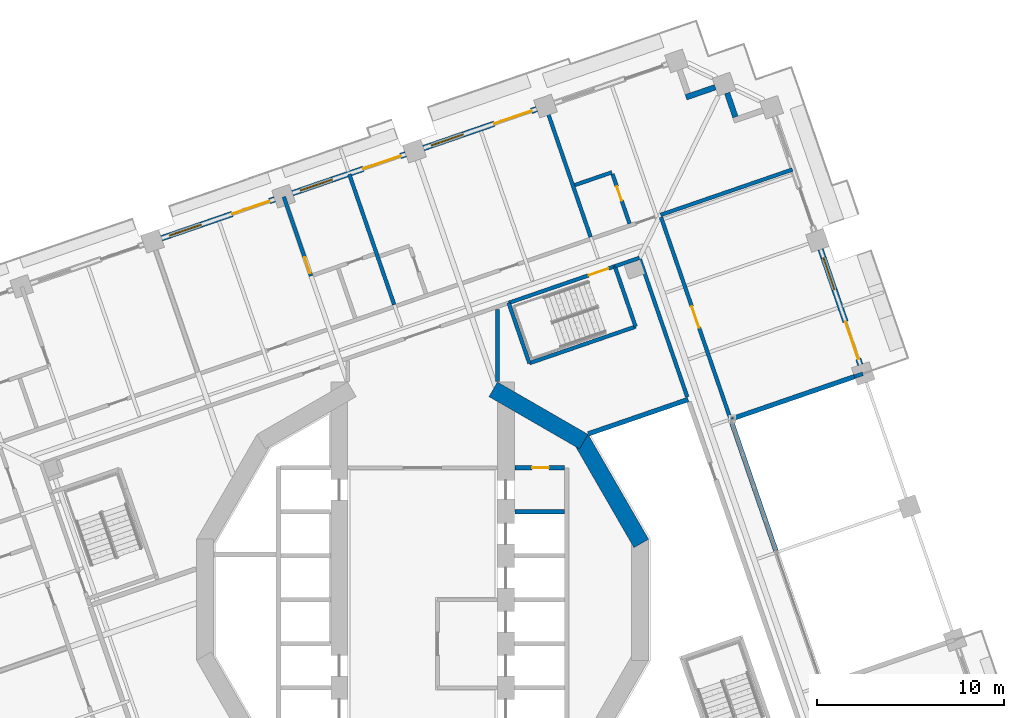
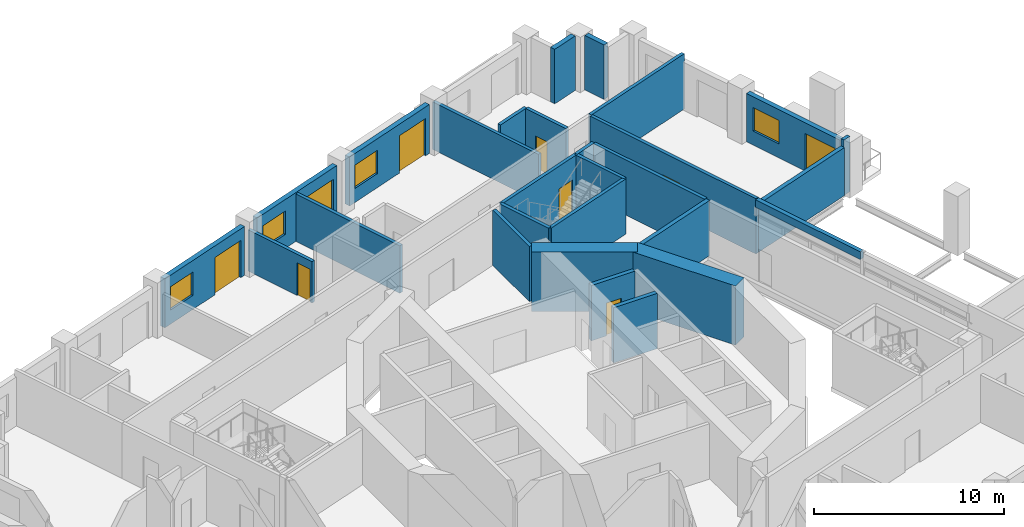
# One storey, part 13 of 22: 28 walls, 9 doors, 4 windows, 13 openings.
"""IFC4 building model written with IfcOpenShell, lengths in metres."""

from ifc_helpers import new_model, si_unit, direction, frame, frame_2d, origin, place, context, subcontext, project, spatial, rectangle, extrude, material, layer, layer_set, type_object, element, fill, save


model = new_model("IFC4")

# Units and contexts
model_context = context("Model", 3, precision=1e-05, world=origin(), true_north=direction((0.0, 1.0)))
body_context = subcontext(model_context, "Body", "Model", "MODEL_VIEW")
ifc_project = project(units=[si_unit("LENGTHUNIT", "METRE"), si_unit("AREAUNIT", "SQUARE_METRE"), si_unit("VOLUMEUNIT", "CUBIC_METRE"), si_unit("PLANEANGLEUNIT", "RADIAN"), si_unit("MASSUNIT", "GRAM", prefix="KILO")], contexts=[model_context])

# Site, building, storey
site_placement = place(None, origin())
site = spatial("IfcSite", under=ifc_project, at=site_placement, CompositionType="ELEMENT")
building_placement = place(site_placement, origin())
building = spatial("IfcBuilding", under=site, at=building_placement, Name="Cantera Rosa Tower", CompositionType="ELEMENT")
storey_placement = place(building_placement, frame((0.0, 0.0, 115.5)))
storey = spatial("IfcBuildingStorey", under=building, at=storey_placement, Name="L23", CompositionType="ELEMENT", Elevation=115.5)

# Walls
ifc_material_1 = material(Name="Gypsum board partition")
ifc_layer_1 = layer(ifc_material_1, 0.199951171875)
ifc_layer_set_1 = layer_set([ifc_layer_1], Name="CORRIDOR WALL 200 H3550")
wall_type_1 = type_object("IfcWallType", Name="CORRIDOR WALL 200 H3550", PredefinedType="PARTITIONING", material=ifc_layer_set_1)
wall_1_placement = place(storey_placement, frame((4.0, 15.51513671875, 0.0), z_axis=(0.0, 0.0, 1.0), x_axis=(0.0, -1.0, 0.0)))
element("IfcWall", 1, at=wall_1_placement, inside=storey, type_object=wall_type_1, Name="CORRIDOR WALL L23-070", PredefinedType="PARTITIONING", context=body_context, shape_type="SweptSolid", body=[
    extrude(rectangle(XDim=3.847900390625, YDim=0.199951171875, at=frame_2d((1.923828125, 0.0))), origin(), (0.0, 0.0, 1.0), 3.550048828125),
])
wall_2_placement = place(storey_placement, frame((11.583984375, 18.2666015625, 0.0), z_axis=(0.0, 0.0, 1.0), x_axis=(-0.945503834334, -0.325610963052, 0.0)))
element("IfcWall", 2, at=wall_2_placement, inside=storey, type_object=wall_type_1, Name="CORRIDOR WALL L23-092", PredefinedType="PARTITIONING", context=body_context, shape_type="SweptSolid", body=[
    extrude(rectangle(XDim=1.38720703125, YDim=0.199951171875, at=frame_2d((0.693603515625, 0.0))), origin(), (0.0, 0.0, 1.0), 3.550048828125),
])
wall_3_placement = place(storey_placement, frame((14.14306640625, 10.834716796875, 0.0), z_axis=(0.0, 0.0, 1.0), x_axis=(-0.325556282684, 0.945522663295, 0.0)))
element("IfcWall", 3, at=wall_3_placement, inside=storey, type_object=wall_type_1, Name="CORRIDOR WALL L23-096", PredefinedType="PARTITIONING", context=body_context, shape_type="SweptSolid", body=[
    extrude(rectangle(XDim=7.76025390625, YDim=0.199951171875, at=frame_2d((3.880126953125, 0.0))), origin(), (0.0, 0.0, 1.0), 3.550048828125),
])

# Wall, opening, door
wall_4_placement = place(storey_placement, frame((16.497802734375, 9.525146484375, 0.0), z_axis=(0.0, 0.0, 1.0), x_axis=(-0.325576165676, 0.945515817077, 0.0)))
wall_4 = element("IfcWall", 4, at=wall_4_placement, inside=storey, type_object=wall_type_1, Name="CORRIDOR WALL L23-109", PredefinedType="PARTITIONING", context=body_context, shape_type="SweptSolid", body=[
    extrude(rectangle(XDim=11.544921875, YDim=0.199951171875, at=frame_2d((5.7724609375, 0.0))), origin(), (0.0, 0.0, 1.0), 3.550048828125),
])
opening_1_placement = place(wall_4_placement, frame((5.294921875, 0.0, 0.0)))
opening_1 = element("IfcOpeningElement", 5, at=opening_1_placement, cuts=wall_4, Name="Opening L23-014", PredefinedType="OPENING", context=body_context, shape_type="SweptSolid", body=[
    extrude(rectangle(XDim=1.199951171875, YDim=2.10009765625, at=frame_2d((0.60009765625, 1.050048828125))), frame((0.0, 0.10986328125, 0.0), z_axis=(0.0, -1.0, 0.0), x_axis=(1.0, 0.0, 0.0)), (0.0, 0.0, 1.0), 0.219970703125),
])
ifc_material_2 = material(Name="Timber door leaf", Category="wood")
door_type_1 = type_object("IfcDoorType", Name="ROOM DOOR 1200x2100", OperationType="NOTDEFINED", PredefinedType="DOOR", material=ifc_material_2)
door_1_placement = place(opening_1_placement, origin())
door_1 = element("IfcDoor", 6, at=door_1_placement, inside=storey, type_object=door_type_1, Name="DOOR L23-014", OperationType="NOTDEFINED", OverallHeight=2.10009765625, OverallWidth=1.199951171875, PredefinedType="DOOR", context=body_context, shape_type="SweptSolid", body=[
    extrude(rectangle(XDim=1.199951171875, YDim=2.10009765625, at=frame_2d((0.60009765625, 1.050048828125))), frame((0.0, 0.02490234375, 0.0), z_axis=(0.0, -1.0, 0.0), x_axis=(1.0, 0.0, 0.0)), (0.0, 0.0, 1.0), 0.050048828125),
])
fill(opening_1, door_1)

# Walls
ifc_material_3 = material(Name="Hollow clay masonry with cantera stone cladding", Category="masonry")
ifc_layer_2 = layer(ifc_material_3, 0.300048828125)
ifc_layer_set_2 = layer_set([ifc_layer_2], Name="EW-LOGGIA 300")
wall_type_2 = type_object("IfcWallType", Name="EW-LOGGIA 300", PredefinedType="SOLIDWALL", material=ifc_layer_set_2)
wall_5_placement = place(storey_placement, frame((16.7119140625, 25.79638671875, 0.0), z_axis=(0.0, 0.0, 1.0), x_axis=(-0.325544748006, 0.945526634763, 0.0)))
element("IfcWall", 7, at=wall_5_placement, inside=storey, type_object=wall_type_2, Name="EN-L23-W06b", PredefinedType="SOLIDWALL", context=body_context, shape_type="SweptSolid", body=[
    extrude(rectangle(XDim=1.349853515625, YDim=0.300048828125, at=frame_2d((0.6748046875, 0.0))), origin(), (0.0, 0.0, 1.0), 3.5),
])
wall_6_placement = place(storey_placement, frame((15.636962890625, 27.3828125, 0.0), z_axis=(0.0, 0.0, 1.0), x_axis=(-0.945484566827, -0.325666906351, 0.0)))
element("IfcWall", 8, at=wall_6_placement, inside=storey, type_object=wall_type_2, Name="EN-L23-W07a", PredefinedType="SOLIDWALL", context=body_context, shape_type="SweptSolid", body=[
    extrude(rectangle(XDim=1.64990234375, YDim=0.300048828125, at=frame_2d((0.824951171875, 0.0))), origin(), (0.0, 0.0, 1.0), 3.5),
])

# Wall, openings, window, door
ifc_material_4 = material(Name="Hollow clay masonry with cantera stone cladding", Category="masonry")
ifc_layer_3 = layer(ifc_material_4, 0.300048828125)
ifc_layer_set_3 = layer_set([ifc_layer_3], Name="EW-LOGGIA 300 H3090")
wall_type_3 = type_object("IfcWallType", Name="EW-LOGGIA 300 H3090", PredefinedType="SOLIDWALL", material=ifc_layer_set_3)
wall_7_placement = place(storey_placement, frame((23.3857421875, 12.557861328125, 0.0), z_axis=(0.0, 0.0, 1.0), x_axis=(-0.325580990241, 0.945514155787, 0.0)))
wall_7 = element("IfcWall", 9, at=wall_7_placement, inside=storey, type_object=wall_type_3, Name="EN-L23-W04", PredefinedType="SOLIDWALL", context=body_context, shape_type="SweptSolid", body=[
    extrude(rectangle(XDim=6.52001953125, YDim=0.300048828125, at=frame_2d((3.260009765625, 0.0))), origin(), (0.0, 0.0, 1.0), 3.090087890625),
])
opening_2_placement = place(wall_7_placement, frame((0.330078125, 0.0, 0.0)))
opening_2 = element("IfcOpeningElement", 10, at=opening_2_placement, cuts=wall_7, Name="Opening L23-TD03", PredefinedType="OPENING", context=body_context, shape_type="SweptSolid", body=[
    extrude(rectangle(XDim=2.10009765625, YDim=2.39990234375, at=frame_2d((1.050048828125, 1.199951171875))), frame((0.0, 0.159912109375, 0.0), z_axis=(0.0, -1.0, 0.0), x_axis=(1.0, 0.0, 0.0)), (0.0, 0.0, 1.0), 0.320068359375),
])
opening_3_placement = place(wall_7_placement, frame((4.239990234375, 0.0, 0.89990234375)))
opening_3 = element("IfcOpeningElement", 11, at=opening_3_placement, cuts=wall_7, Name="Opening L23-W04", PredefinedType="OPENING", context=body_context, shape_type="SweptSolid", body=[
    extrude(rectangle(XDim=1.800048828125, YDim=1.5, at=frame_2d((0.89990234375, 0.75))), frame((0.0, 0.159912109375, 0.0), z_axis=(0.0, -1.0, 0.0), x_axis=(1.0, 0.0, 0.0)), (0.0, 0.0, 1.0), 0.320068359375),
])
ifc_material_5 = material(Name="Aluminium frame with clear glass", Category="aluminium")
window_type = type_object("IfcWindowType", Name="Hotel room window 1800x1500", PartitioningType="DOUBLE_PANEL_VERTICAL", PredefinedType="WINDOW", material=ifc_material_5)
window_1_placement = place(opening_3_placement, origin())
window_1 = element("IfcWindow", 12, at=window_1_placement, inside=storey, type_object=window_type, Name="WINDOW L23-W04", OverallHeight=1.5, OverallWidth=1.800048828125, PartitioningType="SINGLE_PANEL", PredefinedType="WINDOW", context=body_context, shape_type="SweptSolid", body=[
    extrude(rectangle(XDim=1.800048828125, YDim=1.5, at=frame_2d((0.89990234375, 0.75))), frame((0.0, 0.030029296875, 0.0), z_axis=(0.0, -1.0, 0.0), x_axis=(1.0, 0.0, 0.0)), (0.0, 0.0, 1.0), 0.06005859375),
])
fill(opening_3, window_1)
ifc_material_6 = material(Name="Aluminium frame with clear glass", Category="aluminium")
door_type_2 = type_object("IfcDoorType", Name="TD-H 2100x2400", OperationType="NOTDEFINED", PredefinedType="DOOR", material=ifc_material_6)
door_2_placement = place(opening_2_placement, origin())
door_2 = element("IfcDoor", 13, at=door_2_placement, inside=storey, type_object=door_type_2, Name="LOGGIA DOOR L23-TD03", OperationType="SLIDING_TO_LEFT", OverallHeight=2.39990234375, OverallWidth=2.10009765625, PredefinedType="DOOR", context=body_context, shape_type="SweptSolid", body=[
    extrude(rectangle(XDim=2.10009765625, YDim=2.39990234375, at=frame_2d((1.050048828125, 1.199951171875))), frame((0.0, 0.02490234375, 0.0), z_axis=(0.0, -1.0, 0.0), x_axis=(1.0, 0.0, 0.0)), (0.0, 0.0, 1.0), 0.050048828125),
])
fill(opening_2, door_2)

ifc_material_7 = material(Name="Hollow clay masonry with cantera stone cladding", Category="masonry")
ifc_layer_4 = layer(ifc_material_7, 0.300048828125)
ifc_layer_set_4 = layer_set([ifc_layer_4], Name="EW-LOGGIA 300 H3140")
wall_type_4 = type_object("IfcWallType", Name="EW-LOGGIA 300 H3140", PredefinedType="SOLIDWALL", material=ifc_layer_set_4)
wall_8_placement = place(storey_placement, frame((6.097900390625, 26.21337890625, 0.0), z_axis=(0.0, 0.0, 1.0), x_axis=(-0.945524496524, -0.325550958337, 0.0)))
wall_8 = element("IfcWall", 14, at=wall_8_placement, inside=storey, type_object=wall_type_4, Name="EN-L23-W09", PredefinedType="SOLIDWALL", context=body_context, shape_type="SweptSolid", body=[
    extrude(rectangle(XDim=6.39990234375, YDim=0.300048828125, at=frame_2d((3.199951171875, 0.0))), origin(), (0.0, 0.0, 1.0), 3.139892578125),
])
opening_4_placement = place(wall_8_placement, frame((0.300048828125, 0.0, 0.0)))
opening_4 = element("IfcOpeningElement", 15, at=opening_4_placement, cuts=wall_8, Name="Opening L23-TD09", PredefinedType="OPENING", context=body_context, shape_type="SweptSolid", body=[
    extrude(rectangle(XDim=2.10009765625, YDim=2.39990234375, at=frame_2d((1.050048828125, 1.199951171875))), frame((0.0, 0.159912109375, 0.0), z_axis=(0.0, -1.0, 0.0), x_axis=(1.0, 0.0, 0.0)), (0.0, 0.0, 1.0), 0.320068359375),
])
opening_5_placement = place(wall_8_placement, frame((4.14990234375, 0.0, 0.89990234375)))
opening_5 = element("IfcOpeningElement", 16, at=opening_5_placement, cuts=wall_8, Name="Opening L23-W10", PredefinedType="OPENING", context=body_context, shape_type="SweptSolid", body=[
    extrude(rectangle(XDim=1.800048828125, YDim=1.5, at=frame_2d((0.89990234375, 0.75))), frame((0.0, 0.159912109375, 0.0), z_axis=(0.0, -1.0, 0.0), x_axis=(1.0, 0.0, 0.0)), (0.0, 0.0, 1.0), 0.320068359375),
])
window_2_placement = place(opening_5_placement, origin())
window_2 = element("IfcWindow", 17, at=window_2_placement, inside=storey, type_object=window_type, Name="WINDOW L23-W10", OverallHeight=1.5, OverallWidth=1.800048828125, PartitioningType="SINGLE_PANEL", PredefinedType="WINDOW", context=body_context, shape_type="SweptSolid", body=[
    extrude(rectangle(XDim=1.800048828125, YDim=1.5, at=frame_2d((0.89990234375, 0.75))), frame((0.0, 0.030029296875, 0.0), z_axis=(0.0, -1.0, 0.0), x_axis=(1.0, 0.0, 0.0)), (0.0, 0.0, 1.0), 0.06005859375),
])
fill(opening_5, window_2)
door_3_placement = place(opening_4_placement, origin())
door_3 = element("IfcDoor", 18, at=door_3_placement, inside=storey, type_object=door_type_2, Name="LOGGIA DOOR L23-TD09", OperationType="SLIDING_TO_LEFT", OverallHeight=2.39990234375, OverallWidth=2.10009765625, PredefinedType="DOOR", context=body_context, shape_type="SweptSolid", body=[
    extrude(rectangle(XDim=2.10009765625, YDim=2.39990234375, at=frame_2d((1.050048828125, 1.199951171875))), frame((0.0, 0.02490234375, 0.0), z_axis=(0.0, -1.0, 0.0), x_axis=(1.0, 0.0, 0.0)), (0.0, 0.0, 1.0), 0.050048828125),
])
fill(opening_4, door_3)

wall_9_placement = place(storey_placement, frame((-0.89892578125, 23.80419921875, 0.0), z_axis=(0.0, 0.0, 1.0), x_axis=(-0.945524496524, -0.325550958337, 0.0)))
wall_9 = element("IfcWall", 19, at=wall_9_placement, inside=storey, type_object=wall_type_4, Name="EN-L23-W10", PredefinedType="SOLIDWALL", context=body_context, shape_type="SweptSolid", body=[
    extrude(rectangle(XDim=6.39990234375, YDim=0.300048828125, at=frame_2d((3.199951171875, 0.0))), origin(), (0.0, 0.0, 1.0), 3.139892578125),
])
opening_6_placement = place(wall_9_placement, frame((0.300048828125, 0.0, 0.0)))
opening_6 = element("IfcOpeningElement", 20, at=opening_6_placement, cuts=wall_9, Name="Opening L23-TD11", PredefinedType="OPENING", context=body_context, shape_type="SweptSolid", body=[
    extrude(rectangle(XDim=2.10009765625, YDim=2.39990234375, at=frame_2d((1.050048828125, 1.199951171875))), frame((0.0, 0.159912109375, 0.0), z_axis=(0.0, -1.0, 0.0), x_axis=(1.0, 0.0, 0.0)), (0.0, 0.0, 1.0), 0.320068359375),
])
opening_7_placement = place(wall_9_placement, frame((4.14990234375, 0.0, 0.89990234375)))
opening_7 = element("IfcOpeningElement", 21, at=opening_7_placement, cuts=wall_9, Name="Opening L23-W12", PredefinedType="OPENING", context=body_context, shape_type="SweptSolid", body=[
    extrude(rectangle(XDim=1.800048828125, YDim=1.5, at=frame_2d((0.89990234375, 0.75))), frame((0.0, 0.159912109375, 0.0), z_axis=(0.0, -1.0, 0.0), x_axis=(1.0, 0.0, 0.0)), (0.0, 0.0, 1.0), 0.320068359375),
])
window_3_placement = place(opening_7_placement, origin())
window_3 = element("IfcWindow", 22, at=window_3_placement, inside=storey, type_object=window_type, Name="WINDOW L23-W12", OverallHeight=1.5, OverallWidth=1.800048828125, PartitioningType="SINGLE_PANEL", PredefinedType="WINDOW", context=body_context, shape_type="SweptSolid", body=[
    extrude(rectangle(XDim=1.800048828125, YDim=1.5, at=frame_2d((0.89990234375, 0.75))), frame((0.0, 0.030029296875, 0.0), z_axis=(0.0, -1.0, 0.0), x_axis=(1.0, 0.0, 0.0)), (0.0, 0.0, 1.0), 0.06005859375),
])
fill(opening_7, window_3)
door_4_placement = place(opening_6_placement, origin())
door_4 = element("IfcDoor", 23, at=door_4_placement, inside=storey, type_object=door_type_2, Name="LOGGIA DOOR L23-TD11", OperationType="SLIDING_TO_LEFT", OverallHeight=2.39990234375, OverallWidth=2.10009765625, PredefinedType="DOOR", context=body_context, shape_type="SweptSolid", body=[
    extrude(rectangle(XDim=2.10009765625, YDim=2.39990234375, at=frame_2d((1.050048828125, 1.199951171875))), frame((0.0, 0.02490234375, 0.0), z_axis=(0.0, -1.0, 0.0), x_axis=(1.0, 0.0, 0.0)), (0.0, 0.0, 1.0), 0.050048828125),
])
fill(opening_6, door_4)

wall_10_placement = place(storey_placement, frame((-7.895751953125, 21.39501953125, 0.0), z_axis=(0.0, 0.0, 1.0), x_axis=(-0.945524496524, -0.325550958337, 0.0)))
wall_10 = element("IfcWall", 24, at=wall_10_placement, inside=storey, type_object=wall_type_4, Name="EN-L23-W11", PredefinedType="SOLIDWALL", context=body_context, shape_type="SweptSolid", body=[
    extrude(rectangle(XDim=6.39990234375, YDim=0.300048828125, at=frame_2d((3.199951171875, 0.0))), origin(), (0.0, 0.0, 1.0), 3.139892578125),
])
opening_8_placement = place(wall_10_placement, frame((0.300048828125, 0.0, 0.0)))
opening_8 = element("IfcOpeningElement", 25, at=opening_8_placement, cuts=wall_10, Name="Opening L23-TD13", PredefinedType="OPENING", context=body_context, shape_type="SweptSolid", body=[
    extrude(rectangle(XDim=2.10009765625, YDim=2.39990234375, at=frame_2d((1.050048828125, 1.199951171875))), frame((0.0, 0.159912109375, 0.0), z_axis=(0.0, -1.0, 0.0), x_axis=(1.0, 0.0, 0.0)), (0.0, 0.0, 1.0), 0.320068359375),
])
opening_9_placement = place(wall_10_placement, frame((4.14990234375, 0.0, 0.89990234375)))
opening_9 = element("IfcOpeningElement", 26, at=opening_9_placement, cuts=wall_10, Name="Opening L23-W14", PredefinedType="OPENING", context=body_context, shape_type="SweptSolid", body=[
    extrude(rectangle(XDim=1.800048828125, YDim=1.5, at=frame_2d((0.89990234375, 0.75))), frame((0.0, 0.159912109375, 0.0), z_axis=(0.0, -1.0, 0.0), x_axis=(1.0, 0.0, 0.0)), (0.0, 0.0, 1.0), 0.320068359375),
])
window_4_placement = place(opening_9_placement, origin())
window_4 = element("IfcWindow", 27, at=window_4_placement, inside=storey, type_object=window_type, Name="WINDOW L23-W14", OverallHeight=1.5, OverallWidth=1.800048828125, PartitioningType="SINGLE_PANEL", PredefinedType="WINDOW", context=body_context, shape_type="SweptSolid", body=[
    extrude(rectangle(XDim=1.800048828125, YDim=1.5, at=frame_2d((0.89990234375, 0.75))), frame((0.0, 0.030029296875, 0.0), z_axis=(0.0, -1.0, 0.0), x_axis=(1.0, 0.0, 0.0)), (0.0, 0.0, 1.0), 0.06005859375),
])
fill(opening_9, window_4)
door_5_placement = place(opening_8_placement, origin())
door_5 = element("IfcDoor", 28, at=door_5_placement, inside=storey, type_object=door_type_2, Name="LOGGIA DOOR L23-TD13", OperationType="SLIDING_TO_LEFT", OverallHeight=2.39990234375, OverallWidth=2.10009765625, PredefinedType="DOOR", context=body_context, shape_type="SweptSolid", body=[
    extrude(rectangle(XDim=2.10009765625, YDim=2.39990234375, at=frame_2d((1.050048828125, 1.199951171875))), frame((0.0, 0.02490234375, 0.0), z_axis=(0.0, -1.0, 0.0), x_axis=(1.0, 0.0, 0.0)), (0.0, 0.0, 1.0), 0.050048828125),
])
fill(opening_8, door_5)

# Walls
ifc_material_8 = material(Name="Concrete C40/50", Category="concrete")
ifc_layer_5 = layer(ifc_material_8, 0.25)
ifc_layer_set_5 = layer_set([ifc_layer_5], Name="EW-POCKET CHEEK 250 H3090")
wall_type_5 = type_object("IfcWallType", Name="EW-POCKET CHEEK 250 H3090", PredefinedType="SOLIDWALL", material=ifc_layer_set_5)
wall_11_placement = place(storey_placement, frame((23.07568359375, 11.92236328125, 0.0), z_axis=(0.0, 0.0, 1.0), x_axis=(-0.945512768123, -0.325585020105, 0.0)))
element("IfcWall", 29, at=wall_11_placement, inside=storey, type_object=wall_type_5, Name="POCKET CHEEK B L23", PredefinedType="SOLIDWALL", context=body_context, shape_type="SweptSolid", body=[
    extrude(rectangle(XDim=6.900146484375, YDim=0.25, at=frame_2d((3.4501953125, 0.0))), origin(), (0.0, 0.0, 1.0), 3.090087890625),
])
ifc_material_9 = material(Name="Hollow clay masonry with cantera stone cladding", Category="masonry")
ifc_layer_6 = layer(ifc_material_9, 0.25)
ifc_layer_set_6 = layer_set([ifc_layer_6], Name="EW-POCKET REAR 250")
wall_type_6 = type_object("IfcWallType", Name="EW-POCKET REAR 250", PredefinedType="SOLIDWALL", material=ifc_layer_set_6)
wall_12_placement = place(storey_placement, frame((18.873779296875, 2.624755859375, 3.010009765625), z_axis=(0.0, 0.0, 1.0), x_axis=(-0.325565891611, 0.945519354757, 0.0)))
element("IfcWall", 30, at=wall_12_placement, inside=storey, type_object=wall_type_6, Name="POCKET SPANDREL L23-2", PredefinedType="SOLIDWALL", context=body_context, shape_type="SweptSolid", body=[
    extrude(rectangle(XDim=7.298095703125, YDim=0.25, at=frame_2d((3.64892578125, 0.0))), origin(), (0.0, 0.0, 1.0), 0.489990234375),
])

# Wall, opening, door
ifc_material_10 = material(Name="Gypsum board partition")
ifc_layer_7 = layer(ifc_material_10, 0.199951171875)
ifc_layer_set_7 = layer_set([ifc_layer_7], Name="PARTITION 200 H2650")
wall_type_7 = type_object("IfcWallType", Name="PARTITION 200 H2650", PredefinedType="PARTITIONING", material=ifc_layer_set_7)
wall_13_placement = place(storey_placement, frame((-5.9580078125, 17.302978515625, 0.0), z_axis=(0.0, 0.0, 1.0), x_axis=(-0.325519343344, 0.945535381204, 0.0)))
wall_13 = element("IfcWall", 31, at=wall_13_placement, inside=storey, type_object=wall_type_7, Name="PARTITION L23-046", PredefinedType="PARTITIONING", context=body_context, shape_type="SweptSolid", body=[
    extrude(rectangle(XDim=4.469970703125, YDim=0.199951171875, at=frame_2d((2.23486328125, 0.0))), origin(), (0.0, 0.0, 1.0), 2.64990234375),
])
opening_10_placement = place(wall_13_placement, frame((0.14990234375, 0.0, 0.0)))
opening_10 = element("IfcOpeningElement", 32, at=opening_10_placement, cuts=wall_13, Name="Opening L23-020", PredefinedType="OPENING", context=body_context, shape_type="SweptSolid", body=[
    extrude(rectangle(XDim=0.89990234375, YDim=2.10009765625, at=frame_2d((0.449951171875, 1.050048828125))), frame((0.0, 0.10986328125, 0.0), z_axis=(0.0, -1.0, 0.0), x_axis=(1.0, 0.0, 0.0)), (0.0, 0.0, 1.0), 0.219970703125),
])
ifc_material_11 = material(Name="Timber door leaf", Category="wood")
door_type_3 = type_object("IfcDoorType", Name="ROOM DOOR 900x2100", OperationType="NOTDEFINED", PredefinedType="DOOR", material=ifc_material_11)
door_6_placement = place(opening_10_placement, origin())
door_6 = element("IfcDoor", 33, at=door_6_placement, inside=storey, type_object=door_type_3, Name="DOOR L23-020", OperationType="NOTDEFINED", OverallHeight=2.10009765625, OverallWidth=0.89990234375, PredefinedType="DOOR", context=body_context, shape_type="SweptSolid", body=[
    extrude(rectangle(XDim=0.89990234375, YDim=2.10009765625, at=frame_2d((0.449951171875, 1.050048828125))), frame((0.0, 0.02490234375, 0.0), z_axis=(0.0, -1.0, 0.0), x_axis=(1.0, 0.0, 0.0)), (0.0, 0.0, 1.0), 0.050048828125),
])
fill(opening_10, door_6)

# Wall
ifc_material_12 = material(Name="Gypsum board partition")
ifc_layer_8 = layer(ifc_material_12, 0.199951171875)
ifc_layer_set_8 = layer_set([ifc_layer_8], Name="PARTITION 200 H3550")
wall_type_8 = type_object("IfcWallType", Name="PARTITION 200 H3550", PredefinedType="PARTITIONING", material=ifc_layer_set_8)
wall_14_placement = place(storey_placement, frame((8.13037109375, 22.154052734375, 0.0), z_axis=(0.0, 0.0, 1.0), x_axis=(0.945533479579, 0.32552486694, 0.0)))
element("IfcWall", 34, at=wall_14_placement, inside=storey, type_object=wall_type_8, Name="PARTITION L23-085", PredefinedType="PARTITIONING", context=body_context, shape_type="SweptSolid", body=[
    extrude(rectangle(XDim=2.099853515625, YDim=0.199951171875, at=frame_2d((1.0498046875, 0.0))), origin(), (0.0, 0.0, 1.0), 3.550048828125),
])

# Wall, opening, door
wall_15_placement = place(storey_placement, frame((10.1484375, 22.7431640625, 0.0), z_axis=(0.0, 0.0, 1.0), x_axis=(0.325576835135, -0.945515586558, 0.0)))
wall_15 = element("IfcWall", 35, at=wall_15_placement, inside=storey, type_object=wall_type_8, Name="PARTITION L23-088", PredefinedType="PARTITIONING", context=body_context, shape_type="SweptSolid", body=[
    extrude(rectangle(XDim=2.800048828125, YDim=0.199951171875, at=frame_2d((1.39990234375, 0.0))), origin(), (0.0, 0.0, 1.0), 3.550048828125),
])
opening_11_placement = place(wall_15_placement, frame((0.699951171875, 0.0, 0.0)))
opening_11 = element("IfcOpeningElement", 36, at=opening_11_placement, cuts=wall_15, Name="Opening L23-026", PredefinedType="OPENING", context=body_context, shape_type="SweptSolid", body=[
    extrude(rectangle(XDim=0.800048828125, YDim=2.10009765625, at=frame_2d((0.39990234375, 1.050048828125))), frame((0.0, 0.10986328125, 0.0), z_axis=(0.0, -1.0, 0.0), x_axis=(1.0, 0.0, 0.0)), (0.0, 0.0, 1.0), 0.219970703125),
])
ifc_material_13 = material(Name="Timber door leaf", Category="wood")
door_type_4 = type_object("IfcDoorType", Name="BATHROOM DOOR 800x2100", OperationType="NOTDEFINED", PredefinedType="DOOR", material=ifc_material_13)
door_7_placement = place(opening_11_placement, origin())
door_7 = element("IfcDoor", 37, at=door_7_placement, inside=storey, type_object=door_type_4, Name="DOOR L23-026", OperationType="NOTDEFINED", OverallHeight=2.10009765625, OverallWidth=0.800048828125, PredefinedType="DOOR", context=body_context, shape_type="SweptSolid", body=[
    extrude(rectangle(XDim=0.800048828125, YDim=2.10009765625, at=frame_2d((0.39990234375, 1.050048828125))), frame((0.0, 0.02490234375, 0.0), z_axis=(0.0, -1.0, 0.0), x_axis=(1.0, 0.0, 0.0)), (0.0, 0.0, 1.0), 0.050048828125),
])
fill(opening_11, door_7)

# Walls
wall_16_placement = place(storey_placement, frame((23.52001953125, 12.0751953125, 0.0), z_axis=(0.0, 0.0, 1.0), x_axis=(-0.945626684637, -0.325254013507, 0.0)))
element("IfcWall", 38, at=wall_16_placement, inside=storey, type_object=wall_type_8, Name="PARTITION L23-110", PredefinedType="PARTITIONING", context=body_context, shape_type="SweptSolid", body=[
    extrude(rectangle(XDim=0.469970703125, YDim=0.199951171875, at=frame_2d((0.23486328125, 0.0))), origin(), (0.0, 0.0, 1.0), 3.550048828125),
])
ifc_material_14 = material(Name="Gypsum board partition")
ifc_layer_9 = layer(ifc_material_14, 0.199951171875)
ifc_layer_set_9 = layer_set([ifc_layer_9], Name="PARTY WALL 200 H3050")
wall_type_9 = type_object("IfcWallType", Name="PARTY WALL 200 H3050", PredefinedType="PARTITIONING", material=ifc_layer_set_9)
for number, where, z_axis, x_axis, name in (
    (39, (-1.515380859375, 15.765625, 0.0), (0.0, 0.0, 1.0), (-0.325563917555, 0.945520034471, 0.0), "PARTY WALL L23-057"),
    (40, (6.58056640625, 26.347900390625, 0.0), (0.0, 0.0, 1.0), (0.325563917555, -0.945520034471, 0.0), "PARTY WALL L23-077"),
):
    element("IfcWall", number, at=place(storey_placement, frame(where, z_axis=z_axis, x_axis=x_axis)), inside=storey, type_object=wall_type_9, Name=name, PredefinedType="PARTITIONING", context=body_context, shape_type="SweptSolid", body=[
        extrude(rectangle(XDim=7.3701171875, YDim=0.199951171875, at=frame_2d((3.68505859375, 0.0))), origin(), (0.0, 0.0, 1.0), 3.050048828125),
    ])
ifc_material_15 = material(Name="Gypsum board partition")
ifc_layer_10 = layer(ifc_material_15, 0.199951171875)
ifc_layer_set_10 = layer_set([ifc_layer_10], Name="PARTY WALL 200 H3550")
wall_type_10 = type_object("IfcWallType", Name="PARTY WALL 200 H3550", PredefinedType="PARTITIONING", material=ifc_layer_set_10)
wall_17_placement = place(storey_placement, frame((12.718994140625, 20.56103515625, 0.0), z_axis=(0.0, 0.0, 1.0), x_axis=(0.945513938048, 0.325581622574, 0.0)))
element("IfcWall", 41, at=wall_17_placement, inside=storey, type_object=wall_type_10, Name="PARTY WALL L23-094", PredefinedType="PARTITIONING", context=body_context, shape_type="SweptSolid", body=[
    extrude(rectangle(XDim=7.449951171875, YDim=0.199951171875, at=frame_2d((3.72509765625, 0.0))), origin(), (0.0, 0.0, 1.0), 3.550048828125),
])
ifc_material_16 = material(Name="Concrete C70/85", Category="concrete")
ifc_layer_11 = layer(ifc_material_16, 0.89990234375)
ifc_layer_set_11 = layer_set([ifc_layer_11], Name="RC CORE WALL 900 C70/85")
wall_type_11 = type_object("IfcWallType", Name="RC CORE WALL 900 C70/85", PredefinedType="SHEAR", material=ifc_layer_set_11)
wall_18_placement = place(storey_placement, frame((3.77490234375, 11.242919921875, 0.0), z_axis=(0.0, 0.0, 1.0), x_axis=(0.866026961591, -0.49999730179, 0.0)))
element("IfcWall", 42, at=wall_18_placement, inside=storey, type_object=wall_type_11, Name="CW-E1 L23", PredefinedType="SHEAR", context=body_context, shape_type="SweptSolid", body=[
    extrude(rectangle(XDim=5.58740234375, YDim=0.89990234375, at=frame_2d((2.793701171875, 0.0))), origin(), (0.0, 0.0, 1.0), 3.800048828125),
])
wall_19_placement = place(storey_placement, frame((8.44921875, 8.61376953125, 0.0), z_axis=(0.0, 0.0, 1.0), x_axis=(0.499990282633, -0.866031014036, 0.0)))
element("IfcWall", 43, at=wall_19_placement, inside=storey, type_object=wall_type_11, Name="CW-E2 L23", PredefinedType="SHEAR", context=body_context, shape_type="SweptSolid", body=[
    extrude(rectangle(XDim=6.470458984375, YDim=0.89990234375, at=frame_2d((3.2353515625, 0.0))), origin(), (0.0, 0.0, 1.0), 3.800048828125),
])
ifc_material_17 = material(Name="Masonry blockwork", Category="masonry")
ifc_layer_12 = layer(ifc_material_17, 0.25)
ifc_layer_set_12 = layer_set([ifc_layer_12], Name="SHAFT WALL 250 H3550")
wall_type_12 = type_object("IfcWallType", Name="SHAFT WALL 250 H3550", PredefinedType="SOLIDWALL", material=ifc_layer_set_12)
wall_20_placement = place(storey_placement, frame((7.574951171875, 4.699951171875, 0.0), z_axis=(0.0, 0.0, 1.0), x_axis=(-1.0, 0.0, 0.0)))
element("IfcWall", 44, at=wall_20_placement, inside=storey, type_object=wall_type_12, Name="SHAFT WALL L23-083", PredefinedType="SOLIDWALL", context=body_context, shape_type="SweptSolid", body=[
    extrude(rectangle(XDim=2.64501953125, YDim=0.25, at=frame_2d((1.322509765625, 0.0))), origin(), (0.0, 0.0, 1.0), 3.550048828125),
])

# Wall, opening, door
wall_21_placement = place(storey_placement, frame((7.580078125, 7.050048828125, 0.0), z_axis=(0.0, 0.0, 1.0), x_axis=(-1.0, 0.0, 0.0)))
wall_21 = element("IfcWall", 45, at=wall_21_placement, inside=storey, type_object=wall_type_12, Name="SHAFT WALL L23-084", PredefinedType="SOLIDWALL", context=body_context, shape_type="SweptSolid", body=[
    extrude(rectangle(XDim=2.650146484375, YDim=0.25, at=frame_2d((1.3251953125, 0.0))), origin(), (0.0, 0.0, 1.0), 3.550048828125),
])
opening_12_placement = place(wall_21_placement, frame((0.830078125, 0.0, 0.0)))
opening_12 = element("IfcOpeningElement", 46, at=opening_12_placement, cuts=wall_21, Name="Opening L23-046", PredefinedType="OPENING", context=body_context, shape_type="SweptSolid", body=[
    extrude(rectangle(XDim=0.89990234375, YDim=2.10009765625, at=frame_2d((0.449951171875, 1.050048828125))), frame((0.0, 0.135009765625, 0.0), z_axis=(0.0, -1.0, 0.0), x_axis=(1.0, 0.0, 0.0)), (0.0, 0.0, 1.0), 0.27001953125),
])
ifc_material_18 = material(Name="Timber door leaf", Category="wood")
door_type_5 = type_object("IfcDoorType", Name="SERVICE DOOR 900x2100", OperationType="NOTDEFINED", PredefinedType="DOOR", material=ifc_material_18)
door_8_placement = place(opening_12_placement, origin())
door_8 = element("IfcDoor", 47, at=door_8_placement, inside=storey, type_object=door_type_5, Name="RISER DOOR L23-046", OperationType="NOTDEFINED", OverallHeight=2.10009765625, OverallWidth=0.89990234375, PredefinedType="DOOR", context=body_context, shape_type="SweptSolid", body=[
    extrude(rectangle(XDim=0.89990234375, YDim=2.10009765625, at=frame_2d((0.449951171875, 1.050048828125))), frame((0.0, 0.02490234375, 0.0), z_axis=(0.0, -1.0, 0.0), x_axis=(1.0, 0.0, 0.0)), (0.0, 0.0, 1.0), 0.050048828125),
])
fill(opening_12, door_8)

# Walls
wall_22_placement = place(storey_placement, frame((8.85302734375, 8.865234375, 0.0), z_axis=(0.0, 0.0, 1.0), x_axis=(0.945522304371, 0.325557325115, 0.0)))
element("IfcWall", 48, at=wall_22_placement, inside=storey, type_object=wall_type_12, Name="SHAFT WALL L23-087", PredefinedType="SOLIDWALL", context=body_context, shape_type="SweptSolid", body=[
    extrude(rectangle(XDim=5.64306640625, YDim=0.25, at=frame_2d((2.821533203125, 0.0))), origin(), (0.0, 0.0, 1.0), 3.550048828125),
])
ifc_material_19 = material(Name="Concrete C50/60", Category="concrete")
ifc_layer_13 = layer(ifc_material_19, 0.199951171875)
ifc_layer_set_13 = layer_set([ifc_layer_13], Name="STAIR WALL 200 H3550")
wall_type_13 = type_object("IfcWallType", Name="STAIR WALL 200 H3550", PredefinedType="SOLIDWALL", material=ifc_layer_set_13)
wall_23_placement = place(storey_placement, frame((5.708740234375, 12.6396484375, 0.0), z_axis=(0.0, 0.0, 1.0), x_axis=(-0.325562292844, 0.945520593894, 0.0)))
element("IfcWall", 49, at=wall_23_placement, inside=storey, type_object=wall_type_13, Name="STAIR WALL L23-076", PredefinedType="SOLIDWALL", context=body_context, shape_type="SweptSolid", body=[
    extrude(rectangle(XDim=3.407470703125, YDim=0.199951171875, at=frame_2d((1.70361328125, 0.0))), origin(), (0.0, 0.0, 1.0), 3.550048828125),
])

# Wall, opening, door
wall_24_placement = place(storey_placement, frame((10.2724609375, 17.81494140625, 0.0), z_axis=(0.0, 0.0, 1.0), x_axis=(-0.945520338581, -0.325563034341, 0.0)))
wall_24 = element("IfcWall", 50, at=wall_24_placement, inside=storey, type_object=wall_type_13, Name="STAIR WALL L23-089", PredefinedType="SOLIDWALL", context=body_context, shape_type="SweptSolid", body=[
    extrude(rectangle(XDim=6.0, YDim=0.199951171875, at=frame_2d((3.0, 0.0))), origin(), (0.0, 0.0, 1.0), 3.550048828125),
])
opening_13_placement = place(wall_24_placement, frame((0.375, 0.0, 0.0)))
opening_13 = element("IfcOpeningElement", 51, at=opening_13_placement, cuts=wall_24, Name="Opening L23-001", PredefinedType="OPENING", context=body_context, shape_type="SweptSolid", body=[
    extrude(rectangle(XDim=1.10009765625, YDim=2.10009765625, at=frame_2d((0.550048828125, 1.050048828125))), frame((0.0, 0.10986328125, 0.0), z_axis=(0.0, -1.0, 0.0), x_axis=(1.0, 0.0, 0.0)), (0.0, 0.0, 1.0), 0.219970703125),
])
ifc_material_20 = material(Name="Steel S355J2 (EN 10025-2)", Category="steel")
door_type_6 = type_object("IfcDoorType", Name="STAIR DOOR 1100x2100", OperationType="NOTDEFINED", PredefinedType="DOOR", material=ifc_material_20)
door_9_placement = place(opening_13_placement, origin())
door_9 = element("IfcDoor", 52, at=door_9_placement, inside=storey, type_object=door_type_6, Name="DOOR L23-001", OperationType="NOTDEFINED", OverallHeight=2.10009765625, OverallWidth=1.10009765625, PredefinedType="DOOR", context=body_context, shape_type="SweptSolid", body=[
    extrude(rectangle(XDim=1.10009765625, YDim=2.10009765625, at=frame_2d((0.550048828125, 1.050048828125))), frame((0.0, 0.02490234375, 0.0), z_axis=(0.0, -1.0, 0.0), x_axis=(1.0, 0.0, 0.0)), (0.0, 0.0, 1.0), 0.050048828125),
])
fill(opening_13, door_9)

# Walls
wall_25_placement = place(storey_placement, frame((10.2724609375, 17.81494140625, 0.0), z_axis=(0.0, 0.0, 1.0), x_axis=(0.325562292844, -0.945520593894, 0.0)))
element("IfcWall", 53, at=wall_25_placement, inside=storey, type_object=wall_type_13, Name="STAIR WALL L23-090", PredefinedType="SOLIDWALL", context=body_context, shape_type="SweptSolid", body=[
    extrude(rectangle(XDim=3.407470703125, YDim=0.199951171875, at=frame_2d((1.70361328125, 0.0))), origin(), (0.0, 0.0, 1.0), 3.550048828125),
])
wall_26_placement = place(storey_placement, frame((11.3818359375, 14.593017578125, 0.0), z_axis=(0.0, 0.0, 1.0), x_axis=(-0.945520338581, -0.325563034341, 0.0)))
element("IfcWall", 54, at=wall_26_placement, inside=storey, type_object=wall_type_13, Name="STAIR WALL L23-091", PredefinedType="SOLIDWALL", context=body_context, shape_type="SweptSolid", body=[
    extrude(rectangle(XDim=6.0, YDim=0.199951171875, at=frame_2d((3.0, 0.0))), origin(), (0.0, 0.0, 1.0), 3.550048828125),
])

save(model, "model.ifc")
